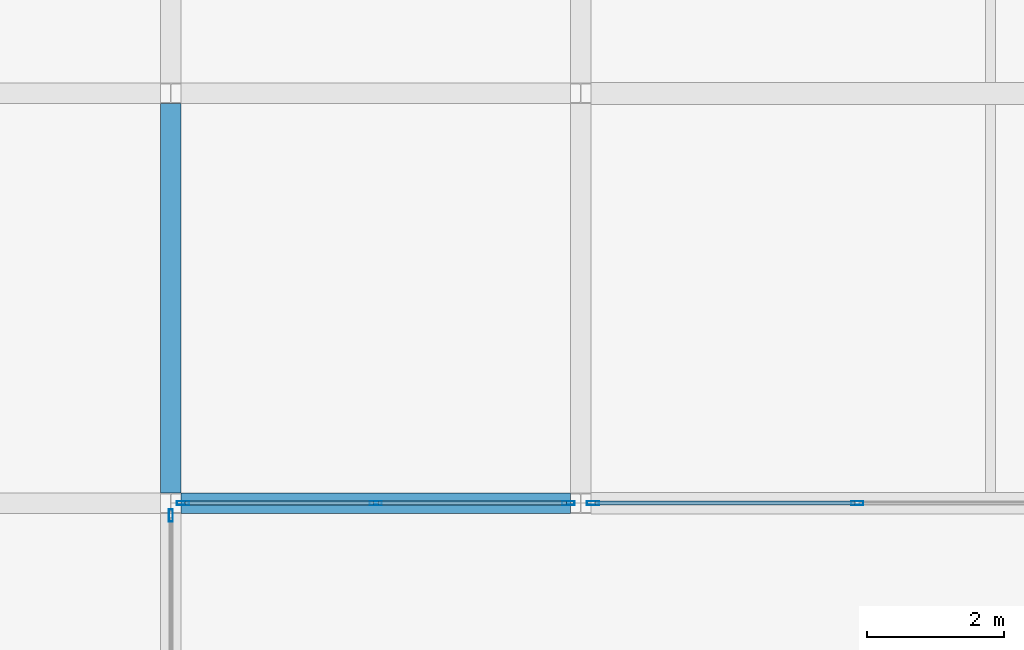
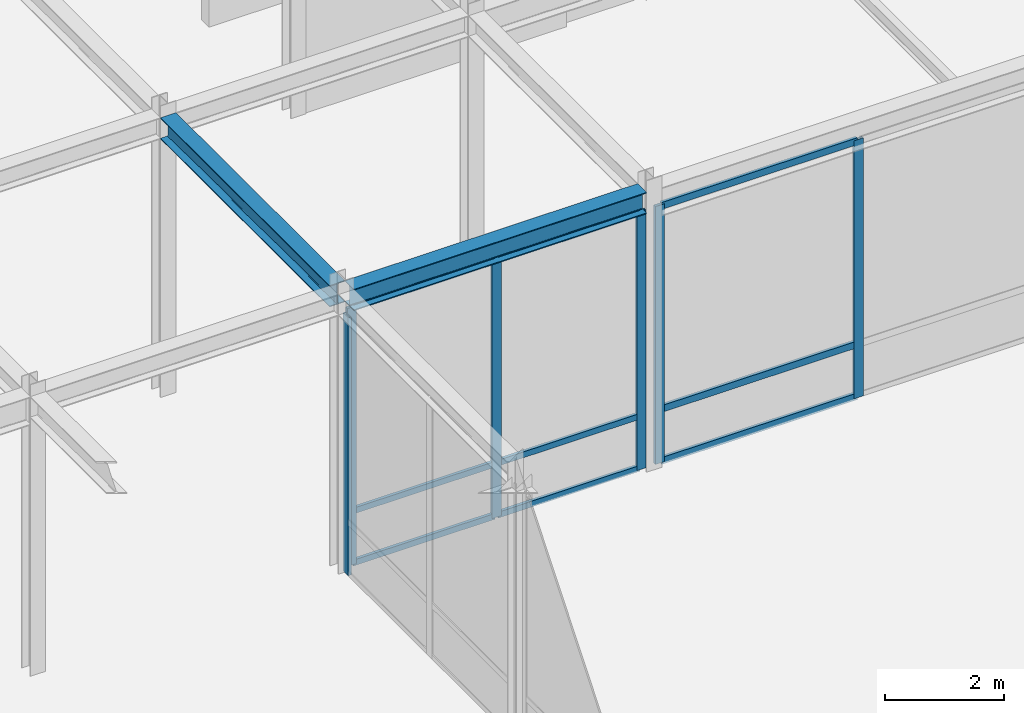
# One storey, part 69 of 108: 15 members, 2 beams, 3 elements without a shape of their own.
"""IFC4 building model written with IfcOpenShell, lengths in metres."""

from ifc_helpers import new_model, si_unit, direction, frame, origin, origin_2d, place, context, subcontext, project, spatial, hollow_rectangle, i_section, extrude, material, layer, layer_set, material_profile, profile_set, type_object, element, aggregate, save


model = new_model("IFC4")

# Units and contexts
model_context = context("Model", 3, precision=1e-05, world=origin(), true_north=direction((0.0, 1.0)))
body_context = subcontext(model_context, "Body", "Model", "MODEL_VIEW")
ifc_project = project(units=[si_unit("LENGTHUNIT", "METRE"), si_unit("AREAUNIT", "SQUARE_METRE"), si_unit("VOLUMEUNIT", "CUBIC_METRE"), si_unit("PLANEANGLEUNIT", "RADIAN"), si_unit("MASSUNIT", "GRAM", prefix="KILO")], contexts=[model_context])

# Site, building, storey
site_placement = place(None, origin())
site = spatial("IfcSite", under=ifc_project, at=site_placement, CompositionType="ELEMENT")
building_placement = place(site_placement, origin())
building = spatial("IfcBuilding", under=site, at=building_placement, Name="Zlatovratsky Civic Hall", CompositionType="ELEMENT")
storey_placement = place(building_placement, frame((0.0, 0.0, 6.0)))
storey = spatial("IfcBuildingStorey", under=building, at=storey_placement, Name="L02", CompositionType="ELEMENT", Elevation=6.0)

# Beams
ifc_material_1 = material(Name="Steel S355", Category="steel")
ifc_material_profile_1 = material_profile(ifc_material_1, i_section(OverallWidth=0.300048828125, OverallDepth=0.43994140625, WebThickness=0.010986328125, FlangeThickness=0.01806640625, FilletRadius=0.02197265625, at=origin_2d()), Name="45Sh1")
ifc_profile_set_1 = profile_set([ifc_material_profile_1], Name="Steel S355")
beam_type = type_object("IfcBeamType", Name="Beam_TowerLow_45Sh1", PredefinedType="BEAM", material=ifc_profile_set_1)
for number, where, z_axis, x_axis, name in (
    (1, (18.14990234375, 66.0, 5.5400390625), (1.0, 0.0, 0.0), (0.0, 1.0, 0.0), "BM-1871"),
    (2, (18.0, 66.14990234375, 5.5400390625), (0.0, 1.0, 0.0), (-1.0, 0.0, 0.0), "BM-2100"),
):
    element("IfcBeam", number, at=place(storey_placement, frame(where, z_axis=z_axis, x_axis=x_axis)), inside=storey, type_object=beam_type, Name=name, PredefinedType="BEAM", context=body_context, shape_type="SweptSolid", body=[
        extrude(i_section(OverallWidth=0.300048828125, OverallDepth=0.43994140625, WebThickness=0.010986328125, FlangeThickness=0.01806640625, FilletRadius=0.02197265625, at=origin_2d()), origin(), (0.0, 0.0, 1.0), 5.7001953125),
    ])

# Curtain wall, members
ifc_material_2 = material(Name="Anodised bronze aluminium", Category="aluminium")
ifc_layer_1 = layer(ifc_material_2, 0.159912109375)
ifc_layer_set_1 = layer_set([ifc_layer_1], Name="Anodised bronze aluminium")
curtain_wall_type_1 = type_object("IfcCurtainWallType", Name="CurtainWall_Bronze_5700x5310_06", PredefinedType="NOTDEFINED", material=ifc_layer_set_1)
curtain_wall_1_placement = place(storey_placement, origin())
curtain_wall_1 = element("IfcCurtainWall", 3, at=curtain_wall_1_placement, inside=storey, type_object=curtain_wall_type_1, Name="CW-012", PredefinedType="NOTDEFINED")
ifc_material_profile_2 = material_profile(ifc_material_2, hollow_rectangle(XDim=0.06005859375, YDim=0.179931640625, WallThickness=0.00390625, at=origin_2d()), Name="ALU 60x180x4")
ifc_profile_set_2 = profile_set([ifc_material_profile_2], Name="Anodised bronze aluminium")
member_type_1 = type_object("IfcMemberType", Name="CW_Mullion_60x180", PredefinedType="MULLION", material=ifc_profile_set_2)
member_1_placement = place(storey_placement, frame((18.179931640625, 66.0, 0.0), z_axis=(0.0, 0.0, 1.0), x_axis=(0.0, 1.0, 0.0)))
member_1 = element("IfcMember", 4, at=member_1_placement, type_object=member_type_1, Name="CW-06 mullion 1", PredefinedType="MULLION", context=body_context, shape_type="SweptSolid", body=[
    extrude(hollow_rectangle(XDim=0.06005859375, YDim=0.179931640625, WallThickness=0.00390625, at=origin_2d()), origin(), (0.0, 0.0, 1.0), 5.31005859375),
])
member_2_placement = place(storey_placement, frame((21.0, 66.0, 0.0), z_axis=(0.0, 0.0, 1.0), x_axis=(0.0, 1.0, 0.0)))
member_2 = element("IfcMember", 5, at=member_2_placement, type_object=member_type_1, Name="CW-06 mullion 2", PredefinedType="MULLION", context=body_context, shape_type="SweptSolid", body=[
    extrude(hollow_rectangle(XDim=0.06005859375, YDim=0.179931640625, WallThickness=0.00390625, at=origin_2d()), origin(), (0.0, 0.0, 1.0), 5.31005859375),
])
member_3_placement = place(storey_placement, frame((23.820068359375, 66.0, 0.0), z_axis=(0.0, 0.0, 1.0), x_axis=(0.0, 1.0, 0.0)))
member_3 = element("IfcMember", 6, at=member_3_placement, type_object=member_type_1, Name="CW-06 mullion 3", PredefinedType="MULLION", context=body_context, shape_type="SweptSolid", body=[
    extrude(hollow_rectangle(XDim=0.06005859375, YDim=0.179931640625, WallThickness=0.00390625, at=origin_2d()), origin(), (0.0, 0.0, 1.0), 5.31005859375),
])

ifc_layer_2 = layer(ifc_material_2, 0.159912109375)
ifc_layer_set_2 = layer_set([ifc_layer_2], Name="Anodised bronze aluminium")
curtain_wall_type_2 = type_object("IfcCurtainWallType", Name="CurtainWall_Bronze_11700x5310_05", PredefinedType="NOTDEFINED", material=ifc_layer_set_2)
curtain_wall_2_placement = place(storey_placement, origin())
curtain_wall_2 = element("IfcCurtainWall", 7, at=curtain_wall_2_placement, inside=storey, type_object=curtain_wall_type_2, Name="CW-013", PredefinedType="NOTDEFINED")
member_4_placement = place(storey_placement, frame((24.179931640625, 66.0, 0.0), z_axis=(0.0, 0.0, 1.0), x_axis=(0.0, 1.0, 0.0)))
member_4 = element("IfcMember", 8, at=member_4_placement, type_object=member_type_1, Name="CW-05 mullion 1", PredefinedType="MULLION", context=body_context, shape_type="SweptSolid", body=[
    extrude(hollow_rectangle(XDim=0.06005859375, YDim=0.179931640625, WallThickness=0.00390625, at=origin_2d()), origin(), (0.0, 0.0, 1.0), 5.31005859375),
])
member_5_placement = place(storey_placement, frame((28.050048828125, 66.0, 0.0), z_axis=(0.0, 0.0, 1.0), x_axis=(0.0, 1.0, 0.0)))
member_5 = element("IfcMember", 9, at=member_5_placement, type_object=member_type_1, Name="CW-05 mullion 2", PredefinedType="MULLION", context=body_context, shape_type="SweptSolid", body=[
    extrude(hollow_rectangle(XDim=0.06005859375, YDim=0.179931640625, WallThickness=0.00390625, at=origin_2d()), origin(), (0.0, 0.0, 1.0), 5.31005859375),
])

# Curtain wall, member
curtain_wall_3_placement = place(storey_placement, origin())
curtain_wall_3 = element("IfcCurtainWall", 10, at=curtain_wall_3_placement, inside=storey, type_object=curtain_wall_type_1, Name="CW-020", PredefinedType="NOTDEFINED")
member_6_placement = place(storey_placement, frame((18.0, 65.820068359375, 0.0), z_axis=(0.0, 0.0, 1.0), x_axis=(-1.0, 0.0, 0.0)))
member_6 = element("IfcMember", 11, at=member_6_placement, type_object=member_type_1, Name="CW-06 mullion 3", PredefinedType="MULLION", context=body_context, shape_type="SweptSolid", body=[
    extrude(hollow_rectangle(XDim=0.06005859375, YDim=0.179931640625, WallThickness=0.00390625, at=origin_2d()), origin(), (0.0, 0.0, 1.0), 5.31005859375),
])
aggregate(curtain_wall_3, [member_6])

# Member
ifc_material_profile_3 = material_profile(ifc_material_2, hollow_rectangle(XDim=0.06005859375, YDim=0.1201171875, WallThickness=0.00390625, at=origin_2d()), Name="ALU 60x120x4")
ifc_profile_set_3 = profile_set([ifc_material_profile_3], Name="Anodised bronze aluminium")
member_type_2 = type_object("IfcMemberType", Name="CW_Transom_60x120", PredefinedType="USERDEFINED", material=ifc_profile_set_3)
member_7_placement = place(storey_placement, frame((18.2099609375, 66.0, 0.030029296875), z_axis=(1.0, 0.0, 0.0), x_axis=(0.0, 1.0, 0.0)))
member_7 = element("IfcMember", 12, at=member_7_placement, type_object=member_type_2, Name="CW-06 transom 1.1", ObjectType="TRANSOM", PredefinedType="USERDEFINED", context=body_context, shape_type="SweptSolid", body=[
    extrude(hollow_rectangle(XDim=0.06005859375, YDim=0.1201171875, WallThickness=0.00390625, at=origin_2d()), origin(), (0.0, 0.0, 1.0), 2.760009765625),
])

member_8_placement = place(storey_placement, frame((18.2099609375, 66.0, 1.10009765625), z_axis=(1.0, 0.0, 0.0), x_axis=(0.0, 1.0, 0.0)))
member_8 = element("IfcMember", 13, at=member_8_placement, type_object=member_type_2, Name="CW-06 transom 1.2", ObjectType="TRANSOM", PredefinedType="USERDEFINED", context=body_context, shape_type="SweptSolid", body=[
    extrude(hollow_rectangle(XDim=0.06005859375, YDim=0.1201171875, WallThickness=0.00390625, at=origin_2d()), origin(), (0.0, 0.0, 1.0), 2.760009765625),
])

member_9_placement = place(storey_placement, frame((18.2099609375, 66.0, 5.280029296875), z_axis=(1.0, 0.0, 0.0), x_axis=(0.0, 1.0, 0.0)))
member_9 = element("IfcMember", 14, at=member_9_placement, type_object=member_type_2, Name="CW-06 transom 1.3", ObjectType="TRANSOM", PredefinedType="USERDEFINED", context=body_context, shape_type="SweptSolid", body=[
    extrude(hollow_rectangle(XDim=0.06005859375, YDim=0.1201171875, WallThickness=0.00390625, at=origin_2d()), origin(), (0.0, 0.0, 1.0), 2.760009765625),
])

member_10_placement = place(storey_placement, frame((21.030029296875, 66.0, 0.030029296875), z_axis=(1.0, 0.0, 0.0), x_axis=(0.0, 1.0, 0.0)))
member_10 = element("IfcMember", 15, at=member_10_placement, type_object=member_type_2, Name="CW-06 transom 2.1", ObjectType="TRANSOM", PredefinedType="USERDEFINED", context=body_context, shape_type="SweptSolid", body=[
    extrude(hollow_rectangle(XDim=0.06005859375, YDim=0.1201171875, WallThickness=0.00390625, at=origin_2d()), origin(), (0.0, 0.0, 1.0), 2.760009765625),
])

member_11_placement = place(storey_placement, frame((21.030029296875, 66.0, 1.10009765625), z_axis=(1.0, 0.0, 0.0), x_axis=(0.0, 1.0, 0.0)))
member_11 = element("IfcMember", 16, at=member_11_placement, type_object=member_type_2, Name="CW-06 transom 2.2", ObjectType="TRANSOM", PredefinedType="USERDEFINED", context=body_context, shape_type="SweptSolid", body=[
    extrude(hollow_rectangle(XDim=0.06005859375, YDim=0.1201171875, WallThickness=0.00390625, at=origin_2d()), origin(), (0.0, 0.0, 1.0), 2.760009765625),
])

member_12_placement = place(storey_placement, frame((21.030029296875, 66.0, 5.280029296875), z_axis=(1.0, 0.0, 0.0), x_axis=(0.0, 1.0, 0.0)))
member_12 = element("IfcMember", 17, at=member_12_placement, type_object=member_type_2, Name="CW-06 transom 2.3", ObjectType="TRANSOM", PredefinedType="USERDEFINED", context=body_context, shape_type="SweptSolid", body=[
    extrude(hollow_rectangle(XDim=0.06005859375, YDim=0.1201171875, WallThickness=0.00390625, at=origin_2d()), origin(), (0.0, 0.0, 1.0), 2.760009765625),
])

aggregate(curtain_wall_1, [member_1, member_2, member_3, member_7, member_8, member_9, member_10, member_11, member_12])

ifc_material_profile_4 = material_profile(ifc_material_2, hollow_rectangle(XDim=0.06005859375, YDim=0.139892578125, WallThickness=0.00390625, at=origin_2d()), Name="ALU 60x140x4")
ifc_profile_set_4 = profile_set([ifc_material_profile_4], Name="Anodised bronze aluminium")
member_type_3 = type_object("IfcMemberType", Name="CW_Transom_60x140", PredefinedType="USERDEFINED", material=ifc_profile_set_4)
member_13_placement = place(storey_placement, frame((24.2099609375, 66.0, 0.030029296875), z_axis=(1.0, 0.0, 0.0), x_axis=(0.0, 1.0, 0.0)))
member_13 = element("IfcMember", 18, at=member_13_placement, type_object=member_type_3, Name="CW-05 transom 1.1", ObjectType="TRANSOM", PredefinedType="USERDEFINED", context=body_context, shape_type="SweptSolid", body=[
    extrude(hollow_rectangle(XDim=0.06005859375, YDim=0.139892578125, WallThickness=0.00390625, at=origin_2d()), origin(), (0.0, 0.0, 1.0), 3.81005859375),
])

member_14_placement = place(storey_placement, frame((24.2099609375, 66.0, 1.10009765625), z_axis=(1.0, 0.0, 0.0), x_axis=(0.0, 1.0, 0.0)))
member_14 = element("IfcMember", 19, at=member_14_placement, type_object=member_type_3, Name="CW-05 transom 1.2", ObjectType="TRANSOM", PredefinedType="USERDEFINED", context=body_context, shape_type="SweptSolid", body=[
    extrude(hollow_rectangle(XDim=0.06005859375, YDim=0.139892578125, WallThickness=0.00390625, at=origin_2d()), origin(), (0.0, 0.0, 1.0), 3.81005859375),
])

member_15_placement = place(storey_placement, frame((24.2099609375, 66.0, 5.280029296875), z_axis=(1.0, 0.0, 0.0), x_axis=(0.0, 1.0, 0.0)))
member_15 = element("IfcMember", 20, at=member_15_placement, type_object=member_type_3, Name="CW-05 transom 1.3", ObjectType="TRANSOM", PredefinedType="USERDEFINED", context=body_context, shape_type="SweptSolid", body=[
    extrude(hollow_rectangle(XDim=0.06005859375, YDim=0.139892578125, WallThickness=0.00390625, at=origin_2d()), origin(), (0.0, 0.0, 1.0), 3.81005859375),
])

aggregate(curtain_wall_2, [member_4, member_5, member_13, member_14, member_15])

save(model, "model.ifc")
